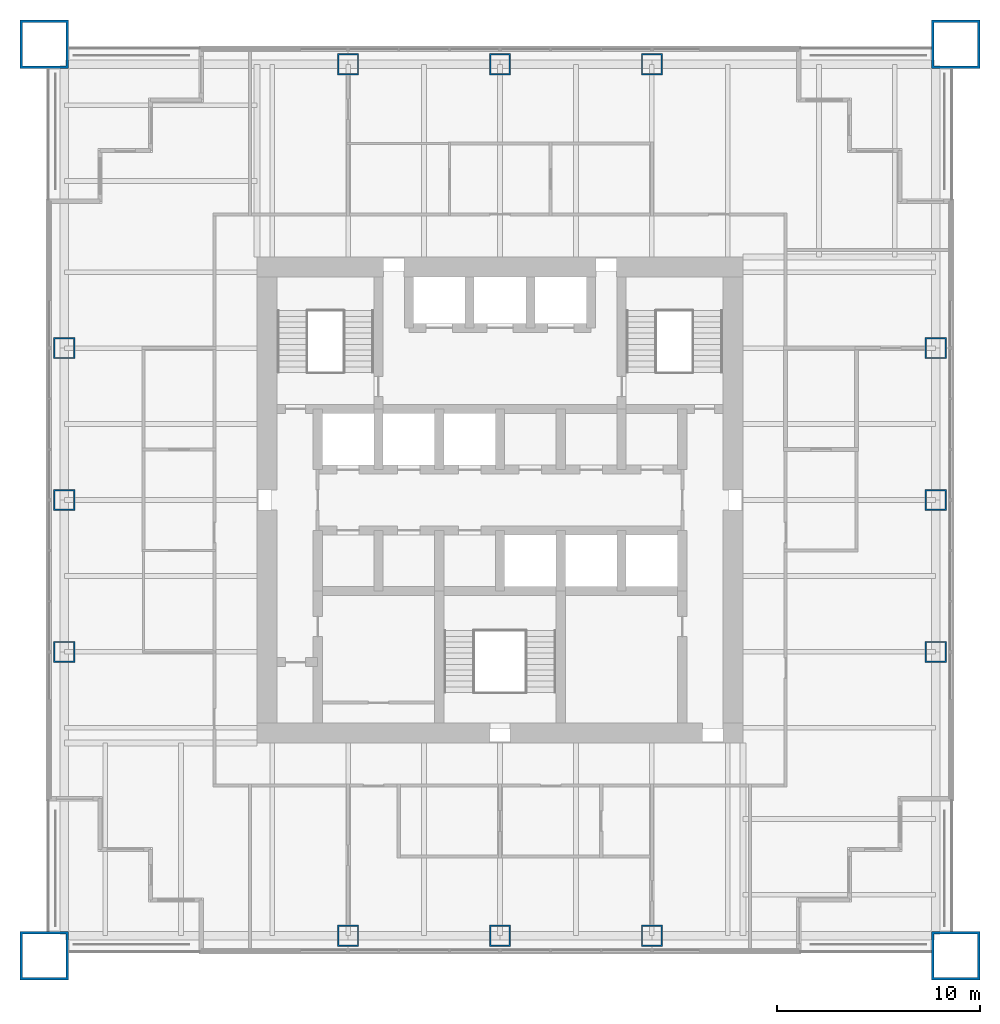
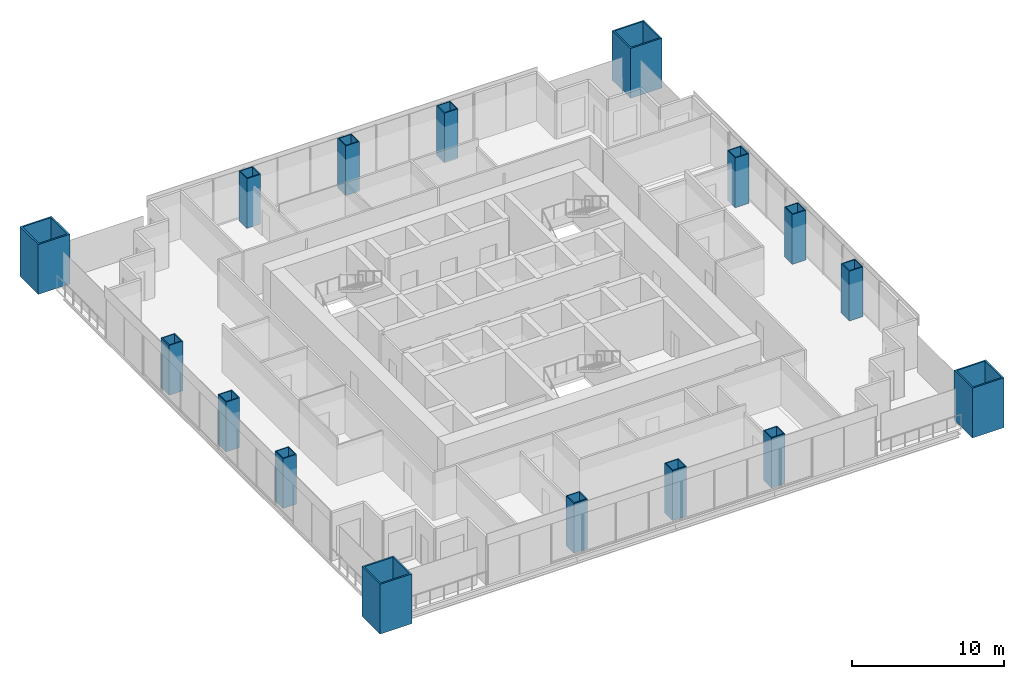
# One storey, part 1 of 13: 16 columns.
"""IFC4 building model written with IfcOpenShell, lengths in metres."""

from ifc_helpers import new_model, si_unit, direction, frame, origin, origin_2d, place, context, subcontext, project, spatial, hollow_rectangle, extrude, material, material_profile, profile_set, type_object, element, save


model = new_model("IFC4")

# Units and contexts
model_context = context("Model", 3, precision=1e-05, world=origin(), true_north=direction((0.0, 1.0)))
body_context = subcontext(model_context, "Body", "Model", "MODEL_VIEW")
ifc_project = project(units=[si_unit("LENGTHUNIT", "METRE"), si_unit("AREAUNIT", "SQUARE_METRE"), si_unit("VOLUMEUNIT", "CUBIC_METRE"), si_unit("PLANEANGLEUNIT", "RADIAN"), si_unit("MASSUNIT", "GRAM", prefix="KILO")], contexts=[model_context])

# Site, building, storey
site_placement = place(None, origin())
site = spatial("IfcSite", under=ifc_project, at=site_placement, CompositionType="ELEMENT")
building_placement = place(site_placement, origin())
building = spatial("IfcBuilding", under=site, at=building_placement, Name="Tarangal Relay Tower", CompositionType="ELEMENT")
storey_placement = place(building_placement, frame((0.0, 0.0, 205.89990234375)))
storey = spatial("IfcBuildingStorey", under=building, at=storey_placement, Name="L43", CompositionType="ELEMENT", Elevation=205.89990234375)

# Columns
ifc_material_1 = material(Name="Steel ASTM A572 Grade 42", Category="steel")
ifc_material_profile_1 = material_profile(ifc_material_1, hollow_rectangle(XDim=2.39990234375, YDim=2.39990234375, WallThickness=0.1201171875, at=origin_2d()), Name="BOX2400X2400X120")
ifc_profile_set_1 = profile_set([ifc_material_profile_1], Name="Steel ASTM A572 Grade 42")
column_type_1 = type_object("IfcColumnType", Name="Mega column BOX2400X2400X120", PredefinedType="COLUMN", material=ifc_profile_set_1)
for number, where, z_axis, x_axis, name in (
    (1, (22.5, 22.5, 0.0), (0.0, 0.0, 1.0), (1.0, 0.0, 0.0), "Mega column MC3 NE L43"),
    (2, (22.5, -22.5, 0.0), (0.0, 0.0, 1.0), (1.0, 0.0, 0.0), "Mega column MC3 SE L43"),
    (3, (-22.5, -22.5, 0.0), (0.0, 0.0, 1.0), (1.0, 0.0, 0.0), "Mega column MC3 SW L43"),
    (4, (-22.5, 22.5, 0.0), (0.0, 0.0, 1.0), (1.0, 0.0, 0.0), "Mega column MC3 NW L43"),
):
    element("IfcColumn", number, at=place(storey_placement, frame(where, z_axis=z_axis, x_axis=x_axis)), inside=storey, type_object=column_type_1, Name=name, PredefinedType="COLUMN", context=body_context, shape_type="SweptSolid", body=[
        extrude(hollow_rectangle(XDim=2.39990234375, YDim=2.39990234375, WallThickness=0.1201171875, at=origin_2d()), origin(), (0.0, 0.0, 1.0), 4.0),
    ])
ifc_material_2 = material(Name="Steel ASTM A572 Grade 50", Category="steel")
ifc_material_profile_2 = material_profile(ifc_material_2, hollow_rectangle(XDim=1.050048828125, YDim=1.050048828125, WallThickness=0.070068359375, at=origin_2d()), Name="BOX1050X1050X70")
ifc_profile_set_2 = profile_set([ifc_material_profile_2], Name="Steel ASTM A572 Grade 50")
column_type_2 = type_object("IfcColumnType", Name="Perimeter column BOX1050X1050X70", PredefinedType="COLUMN", material=ifc_profile_set_2)
for number, where, z_axis, x_axis, name in (
    (5, (-7.5, 21.514892578125, 0.0), (0.0, 0.0, 1.0), (1.0, 0.0, 0.0), "Perimeter column PC4 N L43"),
    (6, (0.0, 21.514892578125, 0.0), (0.0, 0.0, 1.0), (1.0, 0.0, 0.0), "Perimeter column PC4 N L43"),
    (7, (7.5, 21.514892578125, 0.0), (0.0, 0.0, 1.0), (1.0, 0.0, 0.0), "Perimeter column PC4 N L43"),
    (8, (21.514892578125, 7.5, 0.0), (0.0, 0.0, 1.0), (1.0, 0.0, 0.0), "Perimeter column PC4 E L43"),
    (9, (21.514892578125, 0.0, 0.0), (0.0, 0.0, 1.0), (1.0, 0.0, 0.0), "Perimeter column PC4 E L43"),
    (10, (21.514892578125, -7.5, 0.0), (0.0, 0.0, 1.0), (1.0, 0.0, 0.0), "Perimeter column PC4 E L43"),
    (11, (7.5, -21.514892578125, 0.0), (0.0, 0.0, 1.0), (1.0, 0.0, 0.0), "Perimeter column PC4 S L43"),
    (12, (0.0, -21.514892578125, 0.0), (0.0, 0.0, 1.0), (1.0, 0.0, 0.0), "Perimeter column PC4 S L43"),
    (13, (-7.5, -21.514892578125, 0.0), (0.0, 0.0, 1.0), (1.0, 0.0, 0.0), "Perimeter column PC4 S L43"),
    (14, (-21.514892578125, -7.5, 0.0), (0.0, 0.0, 1.0), (1.0, 0.0, 0.0), "Perimeter column PC4 W L43"),
    (15, (-21.514892578125, 0.0, 0.0), (0.0, 0.0, 1.0), (1.0, 0.0, 0.0), "Perimeter column PC4 W L43"),
    (16, (-21.514892578125, 7.5, 0.0), (0.0, 0.0, 1.0), (1.0, 0.0, 0.0), "Perimeter column PC4 W L43"),
):
    element("IfcColumn", number, at=place(storey_placement, frame(where, z_axis=z_axis, x_axis=x_axis)), inside=storey, type_object=column_type_2, Name=name, PredefinedType="COLUMN", context=body_context, shape_type="SweptSolid", body=[
        extrude(hollow_rectangle(XDim=1.050048828125, YDim=1.050048828125, WallThickness=0.070068359375, at=origin_2d()), origin(), (0.0, 0.0, 1.0), 4.0),
    ])

save(model, "model.ifc")
